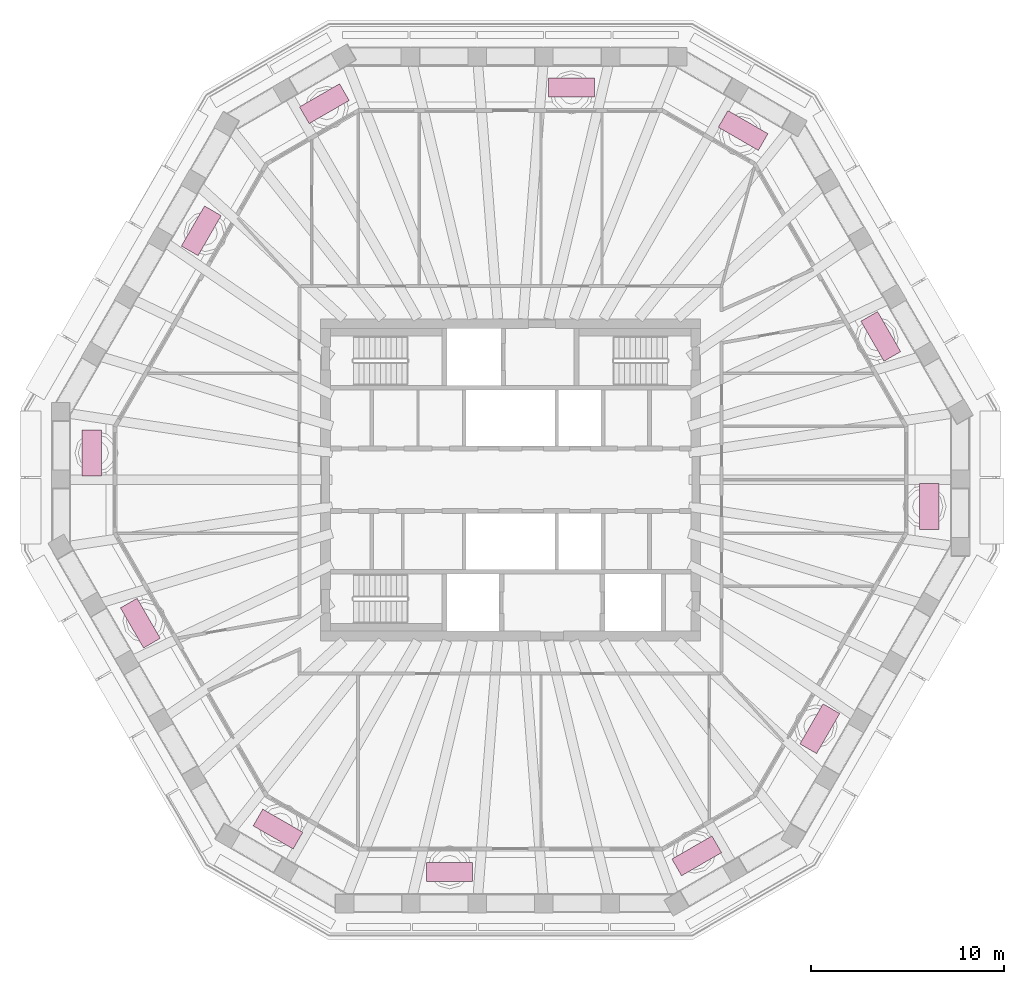
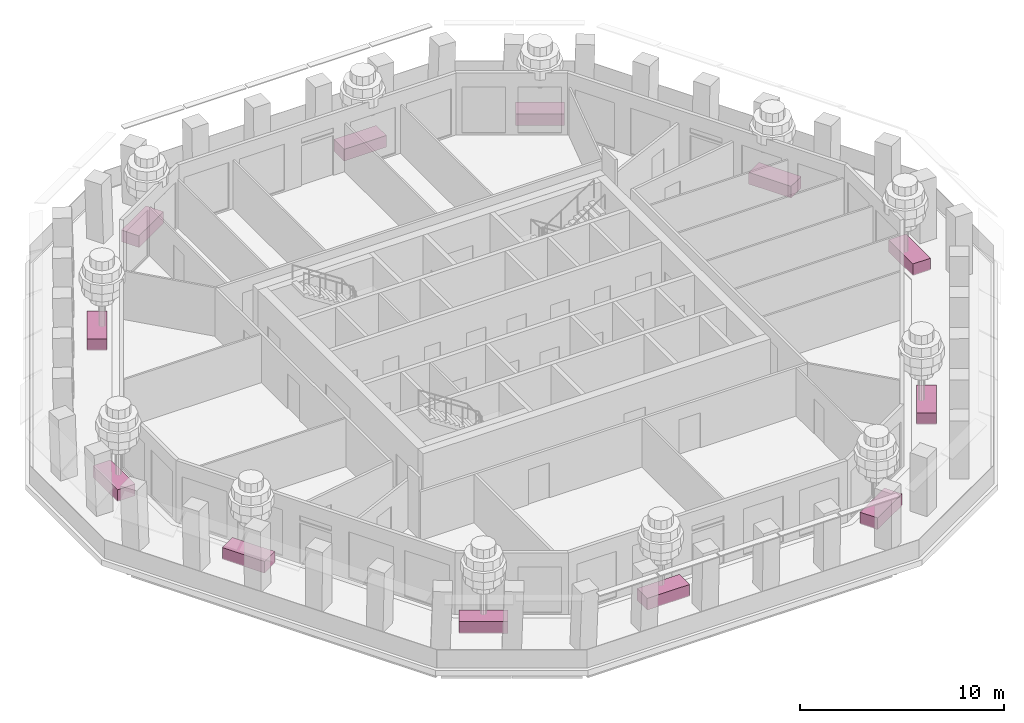
# One storey, part 11 of 13: 12 furniture elements.
"""IFC4 building model written with IfcOpenShell, lengths in metres."""

from ifc_helpers import new_model, si_unit, direction, frame, origin, origin_2d, place, context, subcontext, project, spatial, rectangle, extrude, material, type_object, element, save


model = new_model("IFC4")

# Units and contexts
model_context = context("Model", 3, precision=1e-05, world=origin(), true_north=direction((0.0, 1.0)))
body_context = subcontext(model_context, "Body", "Model", "MODEL_VIEW")
ifc_project = project(units=[si_unit("LENGTHUNIT", "METRE"), si_unit("AREAUNIT", "SQUARE_METRE"), si_unit("VOLUMEUNIT", "CUBIC_METRE"), si_unit("PLANEANGLEUNIT", "RADIAN"), si_unit("MASSUNIT", "GRAM", prefix="KILO")], contexts=[model_context])

# Site, building, storey
site_placement = place(None, origin())
site = spatial("IfcSite", under=ifc_project, at=site_placement, CompositionType="ELEMENT")
building_placement = place(site_placement, origin())
building = spatial("IfcBuilding", under=site, at=building_placement, Name="Frailejon Research Tower", CompositionType="ELEMENT")
storey_placement = place(building_placement, frame((0.0, 0.0, 263.0)))
storey = spatial("IfcBuildingStorey", under=building, at=storey_placement, Name="L57", CompositionType="ELEMENT", Elevation=263.0)

# Furniture
ifc_material = material(Name="Precast concrete C30/37 planter, terracotta", Category="masonry")
furniture_type = type_object("IfcFurnitureType", Name="Terrace planter 2400x1000", AssemblyPlace="NOTDEFINED", PredefinedType="USERDEFINED", material=ifc_material)
for number, where, z_axis, x_axis, name in (
    (1, (21.723876953125, -1.38916015625, 0.0), (0.0, 0.0, 1.0), (0.0, 1.0, 0.0), "Planter L57"),
    (2, (19.20458984375, 7.436279296875, 0.0), (0.0, 0.0, 1.0), (-0.5, 0.866025403784, 0.0), "Planter L57"),
    (3, (12.06494140625, 18.118896484375, 0.0), (0.0, 0.0, 1.0), (-0.866025403784, 0.5, 0.0), "Planter L57"),
    (4, (3.162353515625, 20.35009765625, 0.0), (0.0, 0.0, 1.0), (-1.0, 0.0, 0.0), "Planter L57"),
    (5, (-9.65869140625, 19.508056640625, 0.0), (0.0, 0.0, 1.0), (-0.866025403784, -0.5, 0.0), "Planter L57"),
    (6, (-16.04248046875, 12.91357421875, 0.0), (0.0, 0.0, 1.0), (-0.5, -0.866025403784, 0.0), "Planter L57"),
    (7, (-21.723876953125, 1.38916015625, 0.0), (0.0, 0.0, 1.0), (0.0, -1.0, 0.0), "Planter L57"),
    (8, (-19.20458984375, -7.436279296875, 0.0), (0.0, 0.0, 1.0), (0.5, -0.866025403784, 0.0), "Planter L57"),
    (9, (-12.06494140625, -18.118896484375, 0.0), (0.0, 0.0, 1.0), (0.866025403784, -0.5, 0.0), "Planter L57"),
    (10, (-3.162353515625, -20.35009765625, 0.0), (0.0, 0.0, 1.0), (1.0, 0.0, 0.0), "Planter L57"),
    (11, (9.65869140625, -19.508056640625, 0.0), (0.0, 0.0, 1.0), (0.866025403784, 0.5, 0.0), "Planter L57"),
    (12, (16.04248046875, -12.91357421875, 0.0), (0.0, 0.0, 1.0), (0.5, 0.866025403784, 0.0), "Planter L57"),
):
    element("IfcFurniture", number, at=place(storey_placement, frame(where, z_axis=z_axis, x_axis=x_axis)), inside=storey, type_object=furniture_type, Name=name, ObjectType="PLANTER", PredefinedType="USERDEFINED", context=body_context, shape_type="SweptSolid", body=[
        extrude(rectangle(XDim=2.39990234375, YDim=1.0, at=origin_2d()), origin(), (0.0, 0.0, 1.0), 0.699951171875),
    ])

save(model, "model.ifc")
